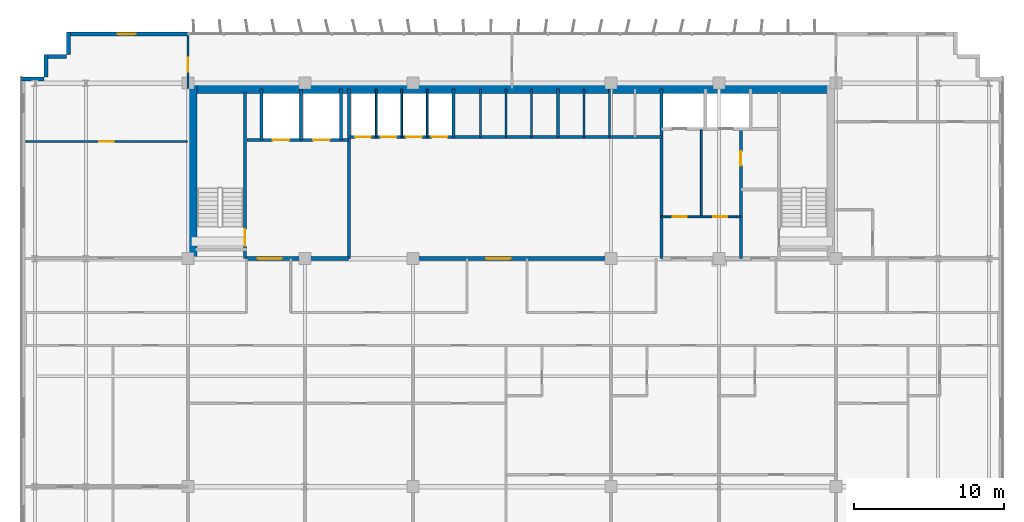
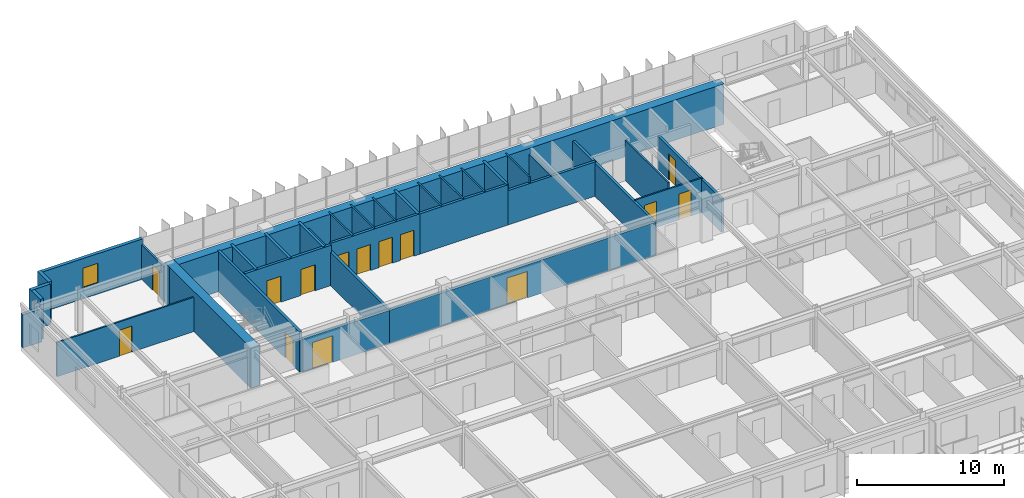
# One storey, part 17 of 22: 34 walls, 14 doors, 1 window, 15 openings.
"""IFC4 building model written with IfcOpenShell, lengths in metres."""

from ifc_helpers import new_model, si_unit, direction, frame, frame_2d, origin, place, context, subcontext, project, spatial, rectangle, extrude, source, transform, mapped, material, layer, layer_set, type_object, element, fill, save


model = new_model("IFC4")

# Units and contexts
model_context = context("Model", 3, precision=1e-05, world=origin(), true_north=direction((0.0, 1.0)))
body_context = subcontext(model_context, "Body", "Model", "MODEL_VIEW")
ifc_project = project(units=[si_unit("LENGTHUNIT", "METRE"), si_unit("AREAUNIT", "SQUARE_METRE"), si_unit("VOLUMEUNIT", "CUBIC_METRE"), si_unit("PLANEANGLEUNIT", "RADIAN"), si_unit("MASSUNIT", "GRAM", prefix="KILO")], contexts=[model_context])

# Site, building, storey
site_placement = place(None, origin())
site = spatial("IfcSite", under=ifc_project, at=site_placement, CompositionType="ELEMENT")
building_placement = place(site_placement, origin())
building = spatial("IfcBuilding", under=site, at=building_placement, Name="Trelvane Seafront Commons", CompositionType="ELEMENT")
storey_placement = place(building_placement, frame((0.0, 0.0, 81.699951171875)))
storey = spatial("IfcBuildingStorey", under=building, at=storey_placement, Name="L20", CompositionType="ELEMENT", Elevation=81.699951171875)

# Wall, opening, window
ifc_material_1 = material(Name="Precast concrete C40/50", Category="concrete")
ifc_layer_1 = layer(ifc_material_1, 0.260009765625, Name="ARCH-WALL-EXT260")
ifc_layer_set_1 = layer_set([ifc_layer_1], Name="Precast concrete C40/50")
wall_type_1 = type_object("IfcWallType", Name="ARCH-WALL-EXT260", PredefinedType="SOLIDWALL", material=ifc_layer_set_1)
wall_1_placement = place(storey_placement, frame((7.60009765625, 48.3701171875, 0.0), z_axis=(0.0, 0.0, 1.0), x_axis=(1.0, 0.0, 0.0)))
wall_1 = element("IfcWall", 1, at=wall_1_placement, inside=storey, type_object=wall_type_1, Name="EW-L20-NW-0349", PredefinedType="SOLIDWALL", context=body_context, shape_type="SweptSolid", body=[
    extrude(rectangle(XDim=8.0, YDim=0.260009765625, at=frame_2d((4.0, 0.0))), origin(), (0.0, 0.0, 1.0), 3.340087890625),
])
opening_1_placement = place(wall_1_placement, frame((3.30810546875, 0.0, 0.89990234375)))
opening_1 = element("IfcOpeningElement", 2, at=opening_1_placement, cuts=wall_1, Name="Opening W05", PredefinedType="OPENING", context=body_context, shape_type="SweptSolid", body=[
    extrude(rectangle(XDim=1.199951171875, YDim=1.64990234375, at=frame_2d((0.60009765625, 0.824951171875))), frame((0.0, 0.139892578125, 0.0), z_axis=(0.0, -1.0, 0.0), x_axis=(1.0, 0.0, 0.0)), (0.0, 0.0, 1.0), 0.280029296875),
])
ifc_material_2 = material(Name="Low-E coastal double glazing", Category="glass")
window_type = type_object("IfcWindowType", Name="ARCH-WIN-W05", PartitioningType="SINGLE_PANEL", PredefinedType="WINDOW", material=ifc_material_2)
shared_shape_1 = source(origin(), body_context, "Body", "SweptSolid", [
    extrude(rectangle(XDim=1.199951171875, YDim=1.64990234375, at=frame_2d((0.60009765625, 0.824951171875))), frame((0.0, 0.030029296875, 0.0), z_axis=(0.0, -1.0, 0.0), x_axis=(1.0, 0.0, 0.0)), (0.0, 0.0, 1.0), 0.06005859375),
])
window_placement = place(opening_1_placement, origin())
window = element("IfcWindow", 3, at=window_placement, inside=storey, type_object=window_type, Name="WIN-L20-00395", OverallHeight=1.64990234375, OverallWidth=1.199951171875, PartitioningType="SINGLE_PANEL", PredefinedType="WINDOW", context=body_context, shape_type="MappedRepresentation", body=[
    mapped(shared_shape_1, transform((0.0, 0.0, 0.0), x_axis=(1.0, 0.0, 0.0), y_axis=(0.0, 1.0, 0.0), z_axis=(0.0, 0.0, 1.0), scale=1.0)),
])
fill(opening_1, window)

# Walls
wall_2_placement = place(storey_placement, frame((4.5, 45.3701171875, 0.0), z_axis=(0.0, 0.0, 1.0), x_axis=(1.0, 0.0, 0.0)))
element("IfcWall", 4, at=wall_2_placement, inside=storey, type_object=wall_type_1, Name="EW-L20-00355", PredefinedType="SOLIDWALL", context=body_context, shape_type="SweptSolid", body=[
    extrude(rectangle(XDim=1.5, YDim=0.260009765625, at=frame_2d((0.75, 0.0))), origin(), (0.0, 0.0, 1.0), 2.751953125),
])
for number, where, z_axis, x_axis, name in (
    (5, (6.1298828125, 45.5, 0.0), (0.0, 0.0, 1.0), (0.0, 1.0, 0.0), "EW-L20-00356"),
    (6, (6.0, 46.8701171875, 0.0), (0.0, 0.0, 1.0), (1.0, 0.0, 0.0), "EW-L20-00357"),
    (7, (7.6298828125, 47.0, 0.0), (0.0, 0.0, 1.0), (0.0, 1.0, 0.0), "EW-L20-00358"),
):
    element("IfcWall", number, at=place(storey_placement, frame(where, z_axis=z_axis, x_axis=x_axis)), inside=storey, type_object=wall_type_1, Name=name, PredefinedType="SOLIDWALL", context=body_context, shape_type="SweptSolid", body=[
        extrude(rectangle(XDim=1.5, YDim=0.260009765625, at=frame_2d((0.75, 0.0))), origin(), (0.0, 0.0, 1.0), 3.340087890625),
    ])

# Wall, opening, door
ifc_material_3 = material(Name="Concrete C40/50", Category="concrete")
ifc_layer_2 = layer(ifc_material_3, 0.199951171875, Name="ARCH-WALL-FIRE200")
ifc_layer_set_2 = layer_set([ifc_layer_2], Name="Concrete C40/50")
wall_type_2 = type_object("IfcWallType", Name="ARCH-WALL-FIRE200", PredefinedType="PARTITIONING", material=ifc_layer_set_2)
wall_3_placement = place(storey_placement, frame((52.449951171875, 33.39990234375, 0.0), z_axis=(0.0, 0.0, 1.0), x_axis=(0.0, 1.0, 0.0)))
wall_3 = element("IfcWall", 8, at=wall_3_placement, inside=storey, type_object=wall_type_2, Name="W-L20-ST2V-W-033", PredefinedType="PARTITIONING", context=body_context, shape_type="SweptSolid", body=[
    extrude(rectangle(XDim=8.650146484375, YDim=0.199951171875, at=frame_2d((4.3251953125, 0.0))), origin(), (0.0, 0.0, 1.0), 2.751953125),
])
opening_2_placement = place(wall_3_placement, frame((6.199951171875, 0.0, 0.0)))
opening_2 = element("IfcOpeningElement", 9, at=opening_2_placement, cuts=wall_3, Name="Opening FD-L20-13", PredefinedType="OPENING", context=body_context, shape_type="SweptSolid", body=[
    extrude(rectangle(XDim=0.949951171875, YDim=2.14990234375, at=frame_2d((0.47509765625, 1.074951171875))), frame((0.0, 0.10986328125, 0.0), z_axis=(0.0, -1.0, 0.0), x_axis=(1.0, 0.0, 0.0)), (0.0, 0.0, 1.0), 0.219970703125),
])
ifc_material_4 = material(Name="Powder-coated aluminium frame", Category="aluminium")
door_type_1 = type_object("IfcDoorType", Name="ARCH-DR-FD60-950", OperationType="NOTDEFINED", PredefinedType="DOOR", material=ifc_material_4)
shared_shape_2 = source(origin(), body_context, "Body", "SweptSolid", [
    extrude(rectangle(XDim=0.949951171875, YDim=2.14990234375, at=frame_2d((0.47509765625, 1.074951171875))), frame((0.0, 0.02490234375, 0.0), z_axis=(0.0, -1.0, 0.0), x_axis=(1.0, 0.0, 0.0)), (0.0, 0.0, 1.0), 0.050048828125),
])
door_1_placement = place(opening_2_placement, origin())
door_1 = element("IfcDoor", 10, at=door_1_placement, inside=storey, type_object=door_type_1, Name="L20 Cleaner Store Door", OperationType="SINGLE_SWING_LEFT", OverallHeight=2.14990234375, OverallWidth=0.949951171875, PredefinedType="DOOR", context=body_context, shape_type="MappedRepresentation", body=[
    mapped(shared_shape_2, transform((0.0, 0.0, 0.0), x_axis=(1.0, 0.0, 0.0), y_axis=(0.0, 1.0, 0.0), z_axis=(0.0, 0.0, 1.0), scale=1.0)),
])
fill(opening_2, door_1)

ifc_layer_3 = layer(ifc_material_3, 0.25, Name="ARCH-WALL-FIRE250")
ifc_layer_set_3 = layer_set([ifc_layer_3], Name="Concrete C40/50")
wall_type_3 = type_object("IfcWallType", Name="ARCH-WALL-FIRE250", PredefinedType="PARTITIONING", material=ifc_layer_set_3)
wall_4_placement = place(storey_placement, frame((19.5, 33.39990234375, 0.0), z_axis=(0.0, 0.0, 1.0), x_axis=(1.0, 0.0, 0.0)))
wall_4 = element("IfcWall", 11, at=wall_4_placement, inside=storey, type_object=wall_type_3, Name="W-L20-CS-FFL-013", PredefinedType="PARTITIONING", context=body_context, shape_type="SweptSolid", body=[
    extrude(rectangle(XDim=6.800048828125, YDim=0.25, at=frame_2d((3.39990234375, 0.0))), origin(), (0.0, 0.0, 1.0), 2.751953125),
])
opening_3_placement = place(wall_4_placement, frame((0.75, 0.0, 0.0)))
opening_3 = element("IfcOpeningElement", 12, at=opening_3_placement, cuts=wall_4, Name="Opening FD-L20-05", PredefinedType="OPENING", context=body_context, shape_type="SweptSolid", body=[
    extrude(rectangle(XDim=1.60009765625, YDim=2.199951171875, at=frame_2d((0.800048828125, 1.10009765625))), frame((0.0, 0.135009765625, 0.0), z_axis=(0.0, -1.0, 0.0), x_axis=(1.0, 0.0, 0.0)), (0.0, 0.0, 1.0), 0.27001953125),
])
door_type_2 = type_object("IfcDoorType", Name="ARCH-DR-FD60-1600", OperationType="DOUBLE_DOOR_SINGLE_SWING", PredefinedType="DOOR", material=ifc_material_4)
shared_shape_3 = source(origin(), body_context, "Body", "SweptSolid", [
    extrude(rectangle(XDim=1.60009765625, YDim=2.199951171875, at=frame_2d((0.800048828125, 1.10009765625))), frame((0.0, 0.02490234375, 0.0), z_axis=(0.0, -1.0, 0.0), x_axis=(1.0, 0.0, 0.0)), (0.0, 0.0, 1.0), 0.050048828125),
])
door_2_placement = place(opening_3_placement, origin())
door_2 = element("IfcDoor", 13, at=door_2_placement, inside=storey, type_object=door_type_2, Name="L20 Firefighting Lift Lobby Double Fire Door", OperationType="DOUBLE_DOOR_SINGLE_SWING", OverallHeight=2.199951171875, OverallWidth=1.60009765625, PredefinedType="DOOR", context=body_context, shape_type="MappedRepresentation", body=[
    mapped(shared_shape_3, transform((0.0, 0.0, 0.0), x_axis=(1.0, 0.0, 0.0), y_axis=(0.0, 1.0, 0.0), z_axis=(0.0, 0.0, 1.0), scale=1.0)),
])
fill(opening_3, door_2)

wall_5_placement = place(storey_placement, frame((26.300048828125, 33.39990234375, 0.0), z_axis=(0.0, 0.0, 1.0), x_axis=(1.0, 0.0, 0.0)))
wall_5 = element("IfcWall", 14, at=wall_5_placement, inside=storey, type_object=wall_type_3, Name="W-L20-CS-PAX-029", PredefinedType="PARTITIONING", context=body_context, shape_type="SweptSolid", body=[
    extrude(rectangle(XDim=20.849853515625, YDim=0.25, at=frame_2d((10.4248046875, 0.0))), origin(), (0.0, 0.0, 1.0), 2.751953125),
])
opening_4_placement = place(wall_5_placement, frame((9.199951171875, 0.0, 0.0)))
opening_4 = element("IfcOpeningElement", 15, at=opening_4_placement, cuts=wall_5, Name="Opening FD-L20-10", PredefinedType="OPENING", context=body_context, shape_type="SweptSolid", body=[
    extrude(rectangle(XDim=1.60009765625, YDim=2.199951171875, at=frame_2d((0.800048828125, 1.10009765625))), frame((0.0, 0.135009765625, 0.0), z_axis=(0.0, -1.0, 0.0), x_axis=(1.0, 0.0, 0.0)), (0.0, 0.0, 1.0), 0.27001953125),
])
door_3_placement = place(opening_4_placement, origin())
door_3 = element("IfcDoor", 16, at=door_3_placement, inside=storey, type_object=door_type_2, Name="L20 Passenger Lift Lobby Double Door", OperationType="DOUBLE_DOOR_SINGLE_SWING", OverallHeight=2.199951171875, OverallWidth=1.60009765625, PredefinedType="DOOR", context=body_context, shape_type="MappedRepresentation", body=[
    mapped(shared_shape_3, transform((0.0, 0.0, 0.0), x_axis=(1.0, 0.0, 0.0), y_axis=(0.0, 1.0, 0.0), z_axis=(0.0, 0.0, 1.0), scale=1.0)),
])
fill(opening_4, door_3)

# Walls
ifc_material_5 = material(Name="Gypsum Drywall Acoustic Partition")
ifc_layer_4 = layer(ifc_material_5, 0.1201171875, Name="ARCH-WALL-PART120")
ifc_layer_set_4 = layer_set([ifc_layer_4], Name="Gypsum Drywall Acoustic Partition")
wall_type_4 = type_object("IfcWallType", Name="ARCH-WALL-PART120", PredefinedType="PARTITIONING", material=ifc_layer_set_4)
for number, where, z_axis, x_axis, name in (
    (17, (28.14990234375, 41.5, 0.0), (0.0, 0.0, 1.0), (0.0, 1.0, 0.0), "W-L20-PL-DIV1-016"),
    (18, (29.85009765625, 41.5, 0.0), (0.0, 0.0, 1.0), (0.0, 1.0, 0.0), "W-L20-PL-DIV2-017"),
    (19, (31.550048828125, 41.5, 0.0), (0.0, 0.0, 1.0), (0.0, 1.0, 0.0), "W-L20-PL-DIV3-018"),
    (20, (35.10009765625, 41.5, 0.0), (0.0, 0.0, 1.0), (0.0, 1.0, 0.0), "W-L20-PM-DIV1-020"),
    (21, (36.800048828125, 41.5, 0.0), (0.0, 0.0, 1.0), (0.0, 1.0, 0.0), "W-L20-PM-DIV2-021"),
    (22, (38.5, 41.5, 0.0), (0.0, 0.0, 1.0), (0.0, 1.0, 0.0), "W-L20-PM-DIV3-022"),
    (23, (42.0, 41.5, 0.0), (0.0, 0.0, 1.0), (0.0, 1.0, 0.0), "W-L20-PH-DIV1-025"),
):
    element("IfcWall", number, at=place(storey_placement, frame(where, z_axis=z_axis, x_axis=x_axis)), inside=storey, type_object=wall_type_4, Name=name, PredefinedType="PARTITIONING", context=body_context, shape_type="SweptSolid", body=[
        extrude(rectangle(XDim=3.199951171875, YDim=0.1201171875, at=frame_2d((1.60009765625, 0.0))), origin(), (0.0, 0.0, 1.0), 3.340087890625),
    ])
wall_6_placement = place(storey_placement, frame((43.699951171875, 41.5, 0.0), z_axis=(0.0, 0.0, 1.0), x_axis=(0.0, 1.0, 0.0)))
element("IfcWall", 24, at=wall_6_placement, inside=storey, type_object=wall_type_4, Name="W-L20-PH-DIV2-026", PredefinedType="PARTITIONING", context=body_context, shape_type="SweptSolid", body=[
    extrude(rectangle(XDim=3.199951171875, YDim=0.1201171875, at=frame_2d((1.60009765625, 0.0))), origin(), (0.0, 0.0, 1.0), 2.840087890625),
])

# Wall, openings, doors
wall_7_placement = place(storey_placement, frame((47.14990234375, 36.179931640625, 0.0), z_axis=(0.0, 0.0, 1.0), x_axis=(1.0, 0.0, 0.0)))
wall_7 = element("IfcWall", 25, at=wall_7_placement, inside=storey, type_object=wall_type_4, Name="W-L20-CYC1-H-035", PredefinedType="PARTITIONING", context=body_context, shape_type="SweptSolid", body=[
    extrude(rectangle(XDim=5.300048828125, YDim=0.1201171875, at=frame_2d((2.64990234375, 0.0))), origin(), (0.0, 0.0, 1.0), 2.840087890625),
])
opening_5_placement = place(wall_7_placement, frame((0.75, 0.0, 0.0)))
opening_5 = element("IfcOpeningElement", 26, at=opening_5_placement, cuts=wall_7, Name="Opening D-L20-14", PredefinedType="OPENING", context=body_context, shape_type="SweptSolid", body=[
    extrude(rectangle(XDim=0.949951171875, YDim=2.14990234375, at=frame_2d((0.47509765625, 1.074951171875))), frame((0.0, 0.070068359375, 0.0), z_axis=(0.0, -1.0, 0.0), x_axis=(1.0, 0.0, 0.0)), (0.0, 0.0, 1.0), 0.14013671875),
])
opening_6_placement = place(wall_7_placement, frame((3.449951171875, 0.0, 0.0)))
opening_6 = element("IfcOpeningElement", 27, at=opening_6_placement, cuts=wall_7, Name="Opening D-L20-15", PredefinedType="OPENING", context=body_context, shape_type="SweptSolid", body=[
    extrude(rectangle(XDim=0.949951171875, YDim=2.14990234375, at=frame_2d((0.47509765625, 1.074951171875))), frame((0.0, 0.070068359375, 0.0), z_axis=(0.0, -1.0, 0.0), x_axis=(1.0, 0.0, 0.0)), (0.0, 0.0, 1.0), 0.14013671875),
])
ifc_material_6 = material(Name="Acoustic timber door leaf", Category="wood")
door_type_3 = type_object("IfcDoorType", Name="ARCH-DR-INT950", OperationType="NOTDEFINED", PredefinedType="DOOR", material=ifc_material_6)
door_4_placement = place(opening_5_placement, origin())
door_4 = element("IfcDoor", 28, at=door_4_placement, inside=storey, type_object=door_type_3, Name="L20 Accessible WC Door", OperationType="SINGLE_SWING_RIGHT", OverallHeight=2.14990234375, OverallWidth=0.949951171875, PredefinedType="DOOR", context=body_context, shape_type="MappedRepresentation", body=[
    mapped(shared_shape_2, transform((0.0, 0.0, 0.0), x_axis=(1.0, 0.0, 0.0), y_axis=(0.0, 1.0, 0.0), z_axis=(0.0, 0.0, 1.0), scale=1.0)),
])
fill(opening_5, door_4)
door_5_placement = place(opening_6_placement, origin())
door_5 = element("IfcDoor", 29, at=door_5_placement, inside=storey, type_object=door_type_3, Name="L20 BMS Room Door", OperationType="SINGLE_SWING_LEFT", OverallHeight=2.14990234375, OverallWidth=0.949951171875, PredefinedType="DOOR", context=body_context, shape_type="MappedRepresentation", body=[
    mapped(shared_shape_2, transform((0.0, 0.0, 0.0), x_axis=(1.0, 0.0, 0.0), y_axis=(0.0, 1.0, 0.0), z_axis=(0.0, 0.0, 1.0), scale=1.0)),
])
fill(opening_6, door_5)

# Wall
wall_8_placement = place(storey_placement, frame((49.820068359375, 36.179931640625, 0.0), z_axis=(0.0, 0.0, 1.0), x_axis=(0.0, 1.0, 0.0)))
element("IfcWall", 30, at=wall_8_placement, inside=storey, type_object=wall_type_4, Name="W-L20-CYC1-V-036", PredefinedType="PARTITIONING", context=body_context, shape_type="SweptSolid", body=[
    extrude(rectangle(XDim=5.820068359375, YDim=0.1201171875, at=frame_2d((2.91015625, 0.0))), origin(), (0.0, 0.0, 1.0), 3.340087890625),
])

# Wall, opening, door
wall_9_placement = place(storey_placement, frame((4.800048828125, 41.199951171875, 0.0), z_axis=(0.0, 0.0, 1.0), x_axis=(1.0, 0.0, 0.0)))
wall_9 = element("IfcWall", 31, at=wall_9_placement, inside=storey, type_object=wall_type_4, Name="W-L20-NW-LGDV-049", PredefinedType="PARTITIONING", context=body_context, shape_type="SweptSolid", body=[
    extrude(rectangle(XDim=10.75, YDim=0.1201171875, at=frame_2d((5.375, 0.0))), origin(), (0.0, 0.0, 1.0), 2.840087890625),
])
opening_7_placement = place(wall_9_placement, frame((4.89990234375, 0.0, 0.0)))
opening_7 = element("IfcOpeningElement", 32, at=opening_7_placement, cuts=wall_9, Name="Opening D-L20-23", PredefinedType="OPENING", context=body_context, shape_type="SweptSolid", body=[
    extrude(rectangle(XDim=0.949951171875, YDim=2.14990234375, at=frame_2d((0.47509765625, 1.074951171875))), frame((0.0, 0.070068359375, 0.0), z_axis=(0.0, -1.0, 0.0), x_axis=(1.0, 0.0, 0.0)), (0.0, 0.0, 1.0), 0.14013671875),
])
door_6_placement = place(opening_7_placement, origin())
door_6 = element("IfcDoor", 33, at=door_6_placement, inside=storey, type_object=door_type_3, Name="L20 Door 23", OperationType="SINGLE_SWING_LEFT", OverallHeight=2.14990234375, OverallWidth=0.949951171875, PredefinedType="DOOR", context=body_context, shape_type="MappedRepresentation", body=[
    mapped(shared_shape_2, transform((0.0, 0.0, 0.0), x_axis=(1.0, 0.0, 0.0), y_axis=(0.0, 1.0, 0.0), z_axis=(0.0, 0.0, 1.0), scale=1.0)),
])
fill(opening_7, door_6)

ifc_layer_5 = layer(ifc_material_5, 0.14990234375, Name="ARCH-WALL-PART150")
ifc_layer_set_5 = layer_set([ifc_layer_5], Name="Gypsum Drywall Acoustic Partition")
wall_type_5 = type_object("IfcWallType", Name="ARCH-WALL-PART150", PredefinedType="PARTITIONING", material=ifc_layer_set_5)
wall_10_placement = place(storey_placement, frame((15.60009765625, 44.75, 0.0), z_axis=(0.0, 0.0, 1.0), x_axis=(0.0, 1.0, 0.0)))
wall_10 = element("IfcWall", 34, at=wall_10_placement, inside=storey, type_object=wall_type_5, Name="W-L20-N-LINK-W-058", PredefinedType="PARTITIONING", context=body_context, shape_type="SweptSolid", body=[
    extrude(rectangle(XDim=3.610107421875, YDim=0.14990234375, at=frame_2d((1.80517578125, 0.0))), origin(), (0.0, 0.0, 1.0), 2.840087890625),
])
opening_8_placement = place(wall_10_placement, frame((1.10009765625, 0.0, 0.0)))
opening_8 = element("IfcOpeningElement", 35, at=opening_8_placement, cuts=wall_10, Name="Opening FD-L20-30", PredefinedType="OPENING", context=body_context, shape_type="SweptSolid", body=[
    extrude(rectangle(XDim=0.949951171875, YDim=2.14990234375, at=frame_2d((0.47509765625, 1.074951171875))), frame((0.0, 0.0849609375, 0.0), z_axis=(0.0, -1.0, 0.0), x_axis=(1.0, 0.0, 0.0)), (0.0, 0.0, 1.0), 0.169921875),
])
door_7_placement = place(opening_8_placement, origin())
door_7 = element("IfcDoor", 36, at=door_7_placement, inside=storey, type_object=door_type_1, Name="L20 Door 30", OperationType="SINGLE_SWING_RIGHT", OverallHeight=2.14990234375, OverallWidth=0.949951171875, PredefinedType="DOOR", context=body_context, shape_type="MappedRepresentation", body=[
    mapped(shared_shape_2, transform((0.0, 0.0, 0.0), x_axis=(1.0, 0.0, 0.0), y_axis=(0.0, 1.0, 0.0), z_axis=(0.0, 0.0, 1.0), scale=1.0)),
])
fill(opening_8, door_7)

# Wall, openings, doors
ifc_layer_6 = layer(ifc_material_3, 0.199951171875, Name="ARCH-WALL-SHAFT200")
ifc_layer_set_6 = layer_set([ifc_layer_6], Name="Concrete C40/50")
wall_type_6 = type_object("IfcWallType", Name="ARCH-WALL-SHAFT200", PredefinedType="SOLIDWALL", material=ifc_layer_set_6)
wall_11_placement = place(storey_placement, frame((19.550048828125, 41.300048828125, 0.0), z_axis=(0.0, 0.0, 1.0), x_axis=(1.0, 0.0, 0.0)))
wall_11 = element("IfcWall", 37, at=wall_11_placement, inside=storey, type_object=wall_type_6, Name="W-L20-FFL-FRONT-008", PredefinedType="SOLIDWALL", context=body_context, shape_type="SweptSolid", body=[
    extrude(rectangle(XDim=6.75, YDim=0.199951171875, at=frame_2d((3.375, 0.0))), origin(), (0.0, 0.0, 1.0), 3.340087890625),
])
opening_9_placement = place(wall_11_placement, frame((1.699951171875, 0.0, 0.0)))
opening_9 = element("IfcOpeningElement", 38, at=opening_9_placement, cuts=wall_11, Name="Opening LD-FF1-L20", PredefinedType="OPENING", context=body_context, shape_type="SweptSolid", body=[
    extrude(rectangle(XDim=1.10009765625, YDim=2.14990234375, at=frame_2d((0.550048828125, 1.074951171875))), frame((0.0, 0.10986328125, 0.0), z_axis=(0.0, -1.0, 0.0), x_axis=(1.0, 0.0, 0.0)), (0.0, 0.0, 1.0), 0.219970703125),
])
opening_10_placement = place(wall_11_placement, frame((4.39990234375, 0.0, 0.0)))
opening_10 = element("IfcOpeningElement", 39, at=opening_10_placement, cuts=wall_11, Name="Opening LD-FF2-L20", PredefinedType="OPENING", context=body_context, shape_type="SweptSolid", body=[
    extrude(rectangle(XDim=1.10009765625, YDim=2.14990234375, at=frame_2d((0.550048828125, 1.074951171875))), frame((0.0, 0.10986328125, 0.0), z_axis=(0.0, -1.0, 0.0), x_axis=(1.0, 0.0, 0.0)), (0.0, 0.0, 1.0), 0.219970703125),
])
ifc_material_7 = material(Name="Stainless steel balustrade", Category="steel")
door_type_4 = type_object("IfcDoorType", Name="ARCH-DR-LD1100", OperationType="DOUBLE_DOOR_SLIDING", PredefinedType="DOOR", material=ifc_material_7)
shared_shape_4 = source(origin(), body_context, "Body", "SweptSolid", [
    extrude(rectangle(XDim=1.10009765625, YDim=2.14990234375, at=frame_2d((0.550048828125, 1.074951171875))), frame((0.0, 0.02490234375, 0.0), z_axis=(0.0, -1.0, 0.0), x_axis=(1.0, 0.0, 0.0)), (0.0, 0.0, 1.0), 0.050048828125),
])
door_8_placement = place(opening_9_placement, origin())
door_8 = element("IfcDoor", 40, at=door_8_placement, inside=storey, type_object=door_type_4, Name="L20 Firefighting Lift FFL-1 Landing Door", OperationType="DOUBLE_DOOR_SLIDING", OverallHeight=2.14990234375, OverallWidth=1.10009765625, PredefinedType="DOOR", context=body_context, shape_type="MappedRepresentation", body=[
    mapped(shared_shape_4, transform((0.0, 0.0, 0.0), x_axis=(1.0, 0.0, 0.0), y_axis=(0.0, 1.0, 0.0), z_axis=(0.0, 0.0, 1.0), scale=1.0)),
])
fill(opening_9, door_8)
door_9_placement = place(opening_10_placement, origin())
door_9 = element("IfcDoor", 41, at=door_9_placement, inside=storey, type_object=door_type_4, Name="L20 Firefighting Lift FFL-2 Landing Door", OperationType="DOUBLE_DOOR_SLIDING", OverallHeight=2.14990234375, OverallWidth=1.10009765625, PredefinedType="DOOR", context=body_context, shape_type="MappedRepresentation", body=[
    mapped(shared_shape_4, transform((0.0, 0.0, 0.0), x_axis=(1.0, 0.0, 0.0), y_axis=(0.0, 1.0, 0.0), z_axis=(0.0, 0.0, 1.0), scale=1.0)),
])
fill(opening_10, door_9)

# Walls
for number, where, z_axis, x_axis, name in (
    (42, (20.5, 41.300048828125, 0.0), (0.0, 0.0, 1.0), (0.0, 1.0, 0.0), "W-L20-FFL-SH-W-009"),
    (43, (23.14990234375, 41.300048828125, 0.0), (0.0, 0.0, 1.0), (0.0, 1.0, 0.0), "W-L20-FFL-DIV-010"),
    (44, (25.800048828125, 41.300048828125, 0.0), (0.0, 0.0, 1.0), (0.0, 1.0, 0.0), "W-L20-FFL-SH-E-011"),
):
    element("IfcWall", number, at=place(storey_placement, frame(where, z_axis=z_axis, x_axis=x_axis)), inside=storey, type_object=wall_type_6, Name=name, PredefinedType="SOLIDWALL", context=body_context, shape_type="SweptSolid", body=[
        extrude(rectangle(XDim=3.39990234375, YDim=0.199951171875, at=frame_2d((1.699951171875, 0.0))), origin(), (0.0, 0.0, 1.0), 3.340087890625),
    ])
wall_12_placement = place(storey_placement, frame((26.35009765625, 33.39990234375, 0.0), z_axis=(0.0, 0.0, 1.0), x_axis=(0.0, 1.0, 0.0)))
element("IfcWall", 45, at=wall_12_placement, inside=storey, type_object=wall_type_6, Name="W-L20-FFL-EAST-012", PredefinedType="SOLIDWALL", context=body_context, shape_type="SweptSolid", body=[
    extrude(rectangle(XDim=11.300048828125, YDim=0.199951171875, at=frame_2d((5.64990234375, 0.0))), origin(), (0.0, 0.0, 1.0), 2.751953125),
])

# Wall, openings, doors
wall_13_placement = place(storey_placement, frame((26.39990234375, 41.5, 0.0), z_axis=(0.0, 0.0, 1.0), x_axis=(1.0, 0.0, 0.0)))
wall_13 = element("IfcWall", 46, at=wall_13_placement, inside=storey, type_object=wall_type_6, Name="W-L20-PL-FRONT-014", PredefinedType="SOLIDWALL", context=body_context, shape_type="SweptSolid", body=[
    extrude(rectangle(XDim=6.9501953125, YDim=0.199951171875, at=frame_2d((3.47509765625, 0.0))), origin(), (0.0, 0.0, 1.0), 3.340087890625),
])
opening_11_placement = place(wall_13_placement, frame((0.35009765625, 0.0, 0.0)))
opening_11 = element("IfcOpeningElement", 47, at=opening_11_placement, cuts=wall_13, Name="Opening LD-PL1-L20", PredefinedType="OPENING", context=body_context, shape_type="SweptSolid", body=[
    extrude(rectangle(XDim=1.050048828125, YDim=2.14990234375, at=frame_2d((0.52490234375, 1.074951171875))), frame((0.0, 0.10986328125, 0.0), z_axis=(0.0, -1.0, 0.0), x_axis=(1.0, 0.0, 0.0)), (0.0, 0.0, 1.0), 0.219970703125),
])
opening_12_placement = place(wall_13_placement, frame((2.050048828125, 0.0, 0.0)))
opening_12 = element("IfcOpeningElement", 48, at=opening_12_placement, cuts=wall_13, Name="Opening LD-PL2-L20", PredefinedType="OPENING", context=body_context, shape_type="SweptSolid", body=[
    extrude(rectangle(XDim=1.050048828125, YDim=2.14990234375, at=frame_2d((0.52490234375, 1.074951171875))), frame((0.0, 0.10986328125, 0.0), z_axis=(0.0, -1.0, 0.0), x_axis=(1.0, 0.0, 0.0)), (0.0, 0.0, 1.0), 0.219970703125),
])
opening_13_placement = place(wall_13_placement, frame((3.75, 0.0, 0.0)))
opening_13 = element("IfcOpeningElement", 49, at=opening_13_placement, cuts=wall_13, Name="Opening LD-PL3-L20", PredefinedType="OPENING", context=body_context, shape_type="SweptSolid", body=[
    extrude(rectangle(XDim=1.050048828125, YDim=2.14990234375, at=frame_2d((0.52490234375, 1.074951171875))), frame((0.0, 0.10986328125, 0.0), z_axis=(0.0, -1.0, 0.0), x_axis=(1.0, 0.0, 0.0)), (0.0, 0.0, 1.0), 0.219970703125),
])
opening_14_placement = place(wall_13_placement, frame((5.449951171875, 0.0, 0.0)))
opening_14 = element("IfcOpeningElement", 50, at=opening_14_placement, cuts=wall_13, Name="Opening LD-PL4-L20", PredefinedType="OPENING", context=body_context, shape_type="SweptSolid", body=[
    extrude(rectangle(XDim=1.050048828125, YDim=2.14990234375, at=frame_2d((0.52490234375, 1.074951171875))), frame((0.0, 0.10986328125, 0.0), z_axis=(0.0, -1.0, 0.0), x_axis=(1.0, 0.0, 0.0)), (0.0, 0.0, 1.0), 0.219970703125),
])
door_type_5 = type_object("IfcDoorType", Name="ARCH-DR-LD1050", OperationType="DOUBLE_DOOR_SLIDING", PredefinedType="DOOR", material=ifc_material_7)
shared_shape_5 = source(origin(), body_context, "Body", "SweptSolid", [
    extrude(rectangle(XDim=1.050048828125, YDim=2.14990234375, at=frame_2d((0.52490234375, 1.074951171875))), frame((0.0, 0.02490234375, 0.0), z_axis=(0.0, -1.0, 0.0), x_axis=(1.0, 0.0, 0.0)), (0.0, 0.0, 1.0), 0.050048828125),
])
door_10_placement = place(opening_11_placement, origin())
door_10 = element("IfcDoor", 51, at=door_10_placement, inside=storey, type_object=door_type_5, Name="L20 Passenger Lift PL-1 Landing Door", OperationType="DOUBLE_DOOR_SLIDING", OverallHeight=2.14990234375, OverallWidth=1.050048828125, PredefinedType="DOOR", context=body_context, shape_type="MappedRepresentation", body=[
    mapped(shared_shape_5, transform((0.0, 0.0, 0.0), x_axis=(1.0, 0.0, 0.0), y_axis=(0.0, 1.0, 0.0), z_axis=(0.0, 0.0, 1.0), scale=1.0)),
])
fill(opening_11, door_10)
door_11_placement = place(opening_12_placement, origin())
door_11 = element("IfcDoor", 52, at=door_11_placement, inside=storey, type_object=door_type_5, Name="L20 Passenger Lift PL-2 Landing Door", OperationType="DOUBLE_DOOR_SLIDING", OverallHeight=2.14990234375, OverallWidth=1.050048828125, PredefinedType="DOOR", context=body_context, shape_type="MappedRepresentation", body=[
    mapped(shared_shape_5, transform((0.0, 0.0, 0.0), x_axis=(1.0, 0.0, 0.0), y_axis=(0.0, 1.0, 0.0), z_axis=(0.0, 0.0, 1.0), scale=1.0)),
])
fill(opening_12, door_11)
door_12_placement = place(opening_13_placement, origin())
door_12 = element("IfcDoor", 53, at=door_12_placement, inside=storey, type_object=door_type_5, Name="L20 Passenger Lift PL-3 Landing Door", OperationType="DOUBLE_DOOR_SLIDING", OverallHeight=2.14990234375, OverallWidth=1.050048828125, PredefinedType="DOOR", context=body_context, shape_type="MappedRepresentation", body=[
    mapped(shared_shape_5, transform((0.0, 0.0, 0.0), x_axis=(1.0, 0.0, 0.0), y_axis=(0.0, 1.0, 0.0), z_axis=(0.0, 0.0, 1.0), scale=1.0)),
])
fill(opening_13, door_12)
door_13_placement = place(opening_14_placement, origin())
door_13 = element("IfcDoor", 54, at=door_13_placement, inside=storey, type_object=door_type_5, Name="L20 Passenger Lift PL-4 Landing Door", OperationType="DOUBLE_DOOR_SLIDING", OverallHeight=2.14990234375, OverallWidth=1.050048828125, PredefinedType="DOOR", context=body_context, shape_type="MappedRepresentation", body=[
    mapped(shared_shape_5, transform((0.0, 0.0, 0.0), x_axis=(1.0, 0.0, 0.0), y_axis=(0.0, 1.0, 0.0), z_axis=(0.0, 0.0, 1.0), scale=1.0)),
])
fill(opening_14, door_13)

# Walls
wall_14_placement = place(storey_placement, frame((33.300048828125, 41.5, 0.0), z_axis=(0.0, 0.0, 1.0), x_axis=(0.0, 1.0, 0.0)))
element("IfcWall", 55, at=wall_14_placement, inside=storey, type_object=wall_type_6, Name="W-L20-PL-EAST-SH-015", PredefinedType="SOLIDWALL", context=body_context, shape_type="SweptSolid", body=[
    extrude(rectangle(XDim=3.199951171875, YDim=0.199951171875, at=frame_2d((1.60009765625, 0.0))), origin(), (0.0, 0.0, 1.0), 3.340087890625),
])
wall_15_placement = place(storey_placement, frame((33.35009765625, 41.5, 0.0), z_axis=(0.0, 0.0, 1.0), x_axis=(1.0, 0.0, 0.0)))
element("IfcWall", 56, at=wall_15_placement, inside=storey, type_object=wall_type_6, Name="W-L20-PM-FRONT-019", PredefinedType="SOLIDWALL", context=body_context, shape_type="SweptSolid", body=[
    extrude(rectangle(XDim=6.89990234375, YDim=0.199951171875, at=frame_2d((3.449951171875, 0.0))), origin(), (0.0, 0.0, 1.0), 3.340087890625),
])
wall_16_placement = place(storey_placement, frame((40.25, 41.5, 0.0), z_axis=(0.0, 0.0, 1.0), x_axis=(1.0, 0.0, 0.0)))
element("IfcWall", 57, at=wall_16_placement, inside=storey, type_object=wall_type_6, Name="W-L20-PH-FRONT-023", PredefinedType="SOLIDWALL", context=body_context, shape_type="SweptSolid", body=[
    extrude(rectangle(XDim=6.89990234375, YDim=0.199951171875, at=frame_2d((3.449951171875, 0.0))), origin(), (0.0, 0.0, 1.0), 2.840087890625),
])
wall_17_placement = place(storey_placement, frame((40.25, 41.5, 0.0), z_axis=(0.0, 0.0, 1.0), x_axis=(0.0, 1.0, 0.0)))
element("IfcWall", 58, at=wall_17_placement, inside=storey, type_object=wall_type_6, Name="W-L20-PH-WEST-SH-024", PredefinedType="SOLIDWALL", context=body_context, shape_type="SweptSolid", body=[
    extrude(rectangle(XDim=3.199951171875, YDim=0.199951171875, at=frame_2d((1.60009765625, 0.0))), origin(), (0.0, 0.0, 1.0), 3.340087890625),
])
wall_18_placement = place(storey_placement, frame((47.14990234375, 33.39990234375, 0.0), z_axis=(0.0, 0.0, 1.0), x_axis=(0.0, 1.0, 0.0)))
element("IfcWall", 59, at=wall_18_placement, inside=storey, type_object=wall_type_6, Name="W-L20-PH-EAST-028", PredefinedType="SOLIDWALL", context=body_context, shape_type="SweptSolid", body=[
    extrude(rectangle(XDim=11.300048828125, YDim=0.199951171875, at=frame_2d((5.64990234375, 0.0))), origin(), (0.0, 0.0, 1.0), 2.751953125),
])
ifc_material_8 = material(Name="Concrete C60/75", Category="concrete")
ifc_layer_7 = layer(ifc_material_8, 0.699951171875, Name="STR-WALL-CORE700")
ifc_layer_set_7 = layer_set([ifc_layer_7], Name="Concrete C60/75")
wall_type_7 = type_object("IfcWallType", Name="STR-WALL-CORE700", PredefinedType="SHEAR", material=ifc_layer_set_7)
wall_19_placement = place(storey_placement, frame((15.5, 44.75, 0.0), z_axis=(0.0, 0.0, 1.0), x_axis=(1.0, 0.0, 0.0)))
element("IfcWall", 60, at=wall_19_placement, inside=storey, type_object=wall_type_7, Name="W-L20-CN-ALL-001", PredefinedType="SHEAR", context=body_context, shape_type="SweptSolid", body=[
    extrude(rectangle(XDim=43.39990234375, YDim=0.699951171875, at=frame_2d((21.699951171875, 0.0))), origin(), (0.0, 0.0, 1.0), 3.340087890625),
])
wall_20_placement = place(storey_placement, frame((15.85009765625, 33.39990234375, 0.0), z_axis=(0.0, 0.0, 1.0), x_axis=(0.0, 1.0, 0.0)))
element("IfcWall", 61, at=wall_20_placement, inside=storey, type_object=wall_type_7, Name="W-L20-CW-END-002", PredefinedType="SHEAR", context=body_context, shape_type="SweptSolid", body=[
    extrude(rectangle(XDim=11.7001953125, YDim=0.699951171875, at=frame_2d((5.85009765625, 0.0))), origin(), (0.0, 0.0, 1.0), 3.340087890625),
])

# Wall, opening, door
ifc_material_9 = material(Name="Concrete C50/60", Category="concrete")
ifc_layer_8 = layer(ifc_material_9, 0.199951171875, Name="STR-WALL-STAIR200")
ifc_layer_set_8 = layer_set([ifc_layer_8], Name="Concrete C50/60")
wall_type_8 = type_object("IfcWallType", Name="STR-WALL-STAIR200", PredefinedType="SHEAR", material=ifc_layer_set_8)
wall_21_placement = place(storey_placement, frame((19.39990234375, 33.39990234375, 0.0), z_axis=(0.0, 0.0, 1.0), x_axis=(0.0, 1.0, 0.0)))
wall_21 = element("IfcWall", 62, at=wall_21_placement, inside=storey, type_object=wall_type_8, Name="W-L20-ST1-E-005", PredefinedType="SHEAR", context=body_context, shape_type="SweptSolid", body=[
    extrude(rectangle(XDim=11.10009765625, YDim=0.199951171875, at=frame_2d((5.550048828125, 0.0))), origin(), (0.0, 0.0, 1.0), 3.340087890625),
])
opening_15_placement = place(wall_21_placement, frame((0.85009765625, 0.0, 0.0)))
opening_15 = element("IfcOpeningElement", 63, at=opening_15_placement, cuts=wall_21, Name="Opening ST-D1-L20", PredefinedType="OPENING", context=body_context, shape_type="SweptSolid", body=[
    extrude(rectangle(XDim=1.10009765625, YDim=2.14990234375, at=frame_2d((0.550048828125, 1.074951171875))), frame((0.0, 0.10986328125, 0.0), z_axis=(0.0, -1.0, 0.0), x_axis=(1.0, 0.0, 0.0)), (0.0, 0.0, 1.0), 0.219970703125),
])
door_type_6 = type_object("IfcDoorType", Name="ARCH-DR-FD90-1100", OperationType="NOTDEFINED", PredefinedType="DOOR", material=ifc_material_4)
door_14_placement = place(opening_15_placement, origin())
door_14 = element("IfcDoor", 64, at=door_14_placement, inside=storey, type_object=door_type_6, Name="L20 Stair ST-1 Lobby Fire Door", OperationType="SINGLE_SWING_LEFT", OverallHeight=2.14990234375, OverallWidth=1.10009765625, PredefinedType="DOOR", context=body_context, shape_type="MappedRepresentation", body=[
    mapped(shared_shape_4, transform((0.0, 0.0, 0.0), x_axis=(1.0, 0.0, 0.0), y_axis=(0.0, 1.0, 0.0), z_axis=(0.0, 0.0, 1.0), scale=1.0)),
])
fill(opening_15, door_14)

save(model, "model.ifc")
